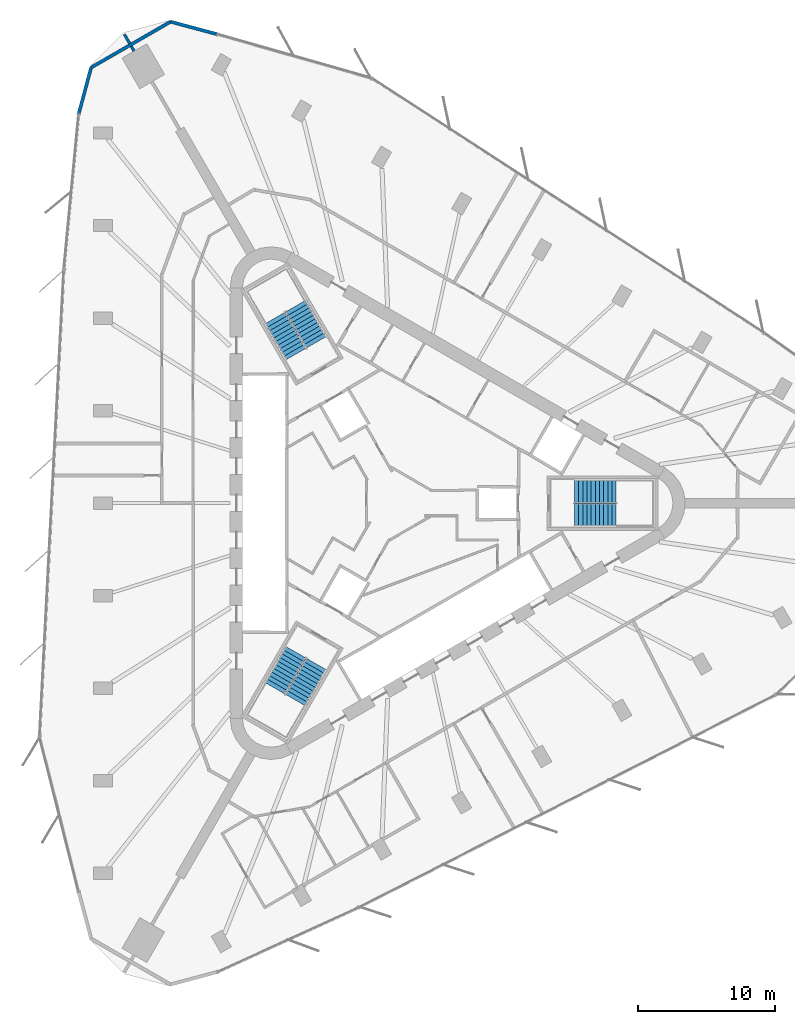
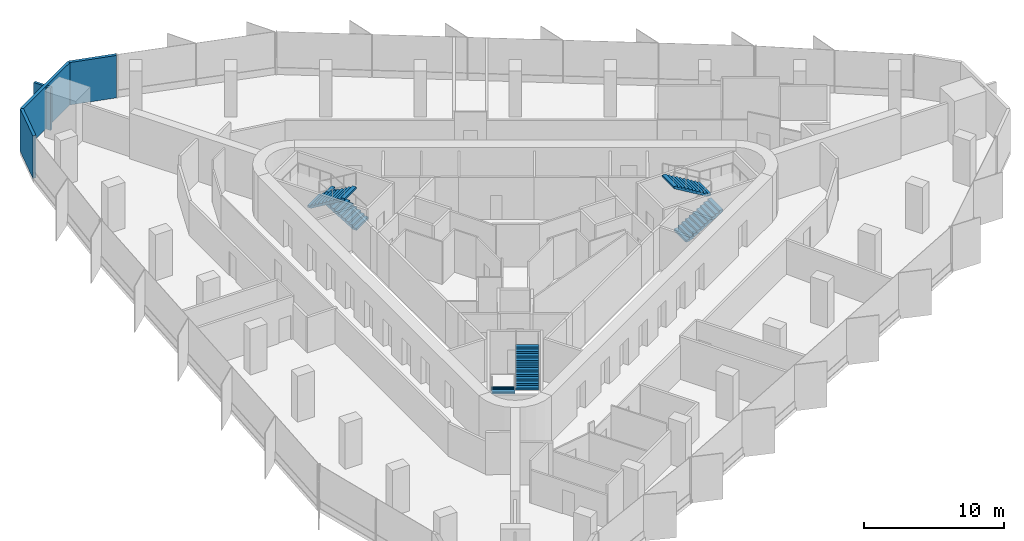
# One storey, part 13 of 14: 6 stair flights, 5 walls, 3 elements without a shape of their own.
"""IFC4 building model written with IfcOpenShell, lengths in metres."""

from ifc_helpers import new_model, si_unit, direction, frame, frame_2d, origin, place, context, subcontext, project, spatial, polyline, rectangle, outline, extrude, material, layer, layer_set, type_object, element, aggregate, save


model = new_model("IFC4")

# Units and contexts
model_context = context("Model", 3, precision=1e-05, world=origin(), true_north=direction((0.0, 1.0)))
body_context = subcontext(model_context, "Body", "Model", "MODEL_VIEW")
ifc_project = project(units=[si_unit("LENGTHUNIT", "METRE"), si_unit("AREAUNIT", "SQUARE_METRE"), si_unit("VOLUMEUNIT", "CUBIC_METRE"), si_unit("PLANEANGLEUNIT", "RADIAN"), si_unit("MASSUNIT", "GRAM", prefix="KILO")], contexts=[model_context])

# Site, building, storey
site_placement = place(None, origin())
site = spatial("IfcSite", under=ifc_project, at=site_placement, CompositionType="ELEMENT")
building_placement = place(site_placement, origin())
building = spatial("IfcBuilding", under=site, at=building_placement, Name="Tanit Gate Tower", CompositionType="ELEMENT")
storey_placement = place(building_placement, frame((0.0, 0.0, 261.199951171875)))
storey = spatial("IfcBuildingStorey", under=building, at=storey_placement, Name="L59", CompositionType="ELEMENT", Elevation=261.199951171875)

# Walls
ifc_material_1 = material(Name="Concrete C30/37 with bronze anodised aluminium cladding", Category="concrete")
ifc_layer_1 = layer(ifc_material_1, 0.239990234375)
ifc_layer_set_1 = layer_set([ifc_layer_1], Name="Facade wall bronze clad 240")
wall_type_1 = type_object("IfcWallType", Name="Facade wall bronze clad 240", PredefinedType="SOLIDWALL", material=ifc_layer_set_1)
wall_1_placement = place(storey_placement, frame((-13.072265625, 34.326171875, 0.0), z_axis=(0.0, 0.0, 1.0), x_axis=(-0.965926007748, 0.258818367886, 0.0)))
element("IfcWall", 1, at=wall_1_placement, inside=storey, type_object=wall_type_1, Name="Bronze-clad facade wall L59 NW.arc1", PredefinedType="SOLIDWALL", context=body_context, shape_type="SweptSolid", body=[
    extrude(rectangle(XDim=3.510009765625, YDim=0.239990234375, at=frame_2d((1.7548828125, 0.0))), origin(), (0.0, 0.0, 1.0), 3.699951171875),
])
wall_2_placement = place(storey_placement, frame((-16.462646484375, 35.234619140625, 0.0), z_axis=(0.0, 0.0, 1.0), x_axis=(-0.86603253074, -0.499987655547, 0.0)))
element("IfcWall", 2, at=wall_2_placement, inside=storey, type_object=wall_type_1, Name="Bronze-clad facade wall L59 NW.arc2", PredefinedType="SOLIDWALL", context=body_context, shape_type="SweptSolid", body=[
    extrude(rectangle(XDim=6.720458984375, YDim=0.239990234375, at=frame_2d((3.3603515625, 0.0))), origin(), (0.0, 0.0, 1.0), 3.699951171875),
])
wall_3_placement = place(storey_placement, frame((-22.28271484375, 31.87451171875, 0.0), z_axis=(0.0, 0.0, 1.0), x_axis=(-0.258842973314, -0.965919414426, 0.0)))
element("IfcWall", 3, at=wall_3_placement, inside=storey, type_object=wall_type_1, Name="Bronze-clad facade wall L59 NW.arc3", PredefinedType="SOLIDWALL", context=body_context, shape_type="SweptSolid", body=[
    extrude(rectangle(XDim=3.501220703125, YDim=0.239990234375, at=frame_2d((1.75048828125, 0.0))), origin(), (0.0, 0.0, 1.0), 3.699951171875),
])
ifc_material_2 = material(Name="Fire-rated gypsum board partition")
ifc_layer_2 = layer(ifc_material_2, 0.199951171875)
ifc_layer_set_2 = layer_set([ifc_layer_2], Name="INT-WALL-COMPARTMENT")
wall_type_2 = type_object("IfcWallType", Name="INT-WALL-COMPARTMENT", PredefinedType="PARTITIONING", material=ifc_layer_set_2)
wall_4_placement = place(storey_placement, frame((-19.844970703125, 34.312255859375, 0.0), z_axis=(0.0, 0.0, 1.0), x_axis=(0.500151178888, -0.865938103017, 0.0)))
element("IfcWall", 4, at=wall_4_placement, inside=storey, type_object=wall_type_2, Name="Wall Compartment W124", PredefinedType="PARTITIONING", context=body_context, shape_type="SweptSolid", body=[
    extrude(rectangle(XDim=0.772216796875, YDim=0.199951171875, at=frame_2d((0.38623046875, 0.0))), origin(), (0.0, 0.0, 1.0), 3.699951171875),
])
wall_5_placement = place(storey_placement, frame((-19.338623046875, 33.435546875, 0.0), z_axis=(0.0, 0.0, 1.0), x_axis=(0.499896243657, -0.866085299251, 0.0)))
element("IfcWall", 5, at=wall_5_placement, inside=storey, type_object=wall_type_2, Name="Wall Compartment W124x1", PredefinedType="PARTITIONING", context=body_context, shape_type="SweptSolid", body=[
    extrude(rectangle(XDim=0.4052734375, YDim=0.199951171875, at=frame_2d((0.20263671875, 0.0))), origin(), (0.0, 0.0, 1.0), 3.699951171875),
])

# Stair, stair flights
ifc_material_3 = material(Name="Concrete C40/50", Category="concrete")
stair_type = type_object("IfcStairType", Name="INT-STAIR-EXIT", PredefinedType="HALF_TURN_STAIR", material=ifc_material_3)
stair_1_placement = place(storey_placement, origin())
stair_1 = element("IfcStair", 6, at=stair_1_placement, inside=storey, type_object=stair_type, Name="L59 STAIR S1", PredefinedType="HALF_TURN_STAIR")
ifc_material_4 = material(Name="Concrete C40/50", Category="concrete")
stair_flight_type = type_object("IfcStairFlightType", Name="INT-STAIR-FLIGHT", PredefinedType="STRAIGHT", material=ifc_material_4)
stair_flight_1_placement = place(storey_placement, frame((13.094970703125, -0.8525390625, 0.0), z_axis=(0.0, 0.0, 1.0), x_axis=(1.0, 0.0, 0.0)))
stair_flight_1 = element("IfcStairFlight", 7, at=stair_flight_1_placement, type_object=stair_flight_type, Name="S1 flight 1", NumberOfRisers=11, NumberOfTreads=10, PredefinedType="STRAIGHT", RiserHeight=0.181818182, TreadLength=0.3051, context=body_context, shape_type="SweptSolid", body=[
    extrude(outline(polyline([(0.0, 0.0), (0.0, 0.181884765625), (0.30517578125, 0.181884765625), (0.30517578125, 0.363525390625), (0.610107421875, 0.363525390625), (0.610107421875, 0.54541015625), (0.915283203125, 0.54541015625), (0.915283203125, 0.727294921875), (1.220458984375, 0.727294921875), (1.220458984375, 0.9091796875), (1.525390625, 0.9091796875), (1.525390625, 1.0908203125), (1.83056640625, 1.0908203125), (1.83056640625, 1.272705078125), (2.1357421875, 1.272705078125), (2.1357421875, 1.45458984375), (2.44091796875, 1.45458984375), (2.44091796875, 1.636474609375), (2.745849609375, 1.636474609375), (2.745849609375, 1.818115234375), (3.051025390625, 1.818115234375), (3.051025390625, 2.0), (3.051025390625, 1.643798828125), (0.292724609375, 0.0), (0.0, 0.0)])), frame((0.0, 0.84765625, 0.0), z_axis=(0.0, -1.0, 0.0), x_axis=(1.0, 0.0, 0.0)), (0.0, 0.0, 1.0), 1.695068359375),
])
stair_flight_2_placement = place(storey_placement, frame((16.14599609375, 0.8525390625, 2.0), z_axis=(0.0, 0.0, 1.0), x_axis=(-1.0, 0.0, 0.0)))
stair_flight_2 = element("IfcStairFlight", 8, at=stair_flight_2_placement, type_object=stair_flight_type, Name="S1 flight 2", NumberOfRisers=11, NumberOfTreads=10, PredefinedType="STRAIGHT", RiserHeight=0.181818182, TreadLength=0.3051, context=body_context, shape_type="SweptSolid", body=[
    extrude(outline(polyline([(0.0, 0.0), (0.0, 0.181884765625), (0.30517578125, 0.181884765625), (0.30517578125, 0.363525390625), (0.610107421875, 0.363525390625), (0.610107421875, 0.54541015625), (0.915283203125, 0.54541015625), (0.915283203125, 0.727294921875), (1.220458984375, 0.727294921875), (1.220458984375, 0.9091796875), (1.525390625, 0.9091796875), (1.525390625, 1.0908203125), (1.83056640625, 1.0908203125), (1.83056640625, 1.272705078125), (2.1357421875, 1.272705078125), (2.1357421875, 1.45458984375), (2.44091796875, 1.45458984375), (2.44091796875, 1.636474609375), (2.745849609375, 1.636474609375), (2.745849609375, 1.818115234375), (3.051025390625, 1.818115234375), (3.051025390625, 2.0), (3.051025390625, 1.643798828125), (0.292724609375, 0.0), (0.0, 0.0)])), frame((0.0, 0.84765625, 0.0), z_axis=(0.0, -1.0, 0.0), x_axis=(1.0, 0.0, 0.0)), (0.0, 0.0, 1.0), 1.695068359375),
])
aggregate(stair_1, [stair_flight_1, stair_flight_2])

stair_2_placement = place(storey_placement, origin())
stair_2 = element("IfcStair", 9, at=stair_2_placement, inside=storey, type_object=stair_type, Name="L59 STAIR S2", PredefinedType="HALF_TURN_STAIR")
stair_flight_3_placement = place(storey_placement, frame((-5.808349609375, 11.766357421875, 0.0), z_axis=(0.0, 0.0, 1.0), x_axis=(-0.5, 0.866025403784, 0.0)))
stair_flight_3 = element("IfcStairFlight", 10, at=stair_flight_3_placement, type_object=stair_flight_type, Name="S2 flight 1", NumberOfRisers=11, NumberOfTreads=10, PredefinedType="STRAIGHT", RiserHeight=0.181818182, TreadLength=0.30492, context=body_context, shape_type="SweptSolid", body=[
    extrude(outline(polyline([(0.0, 0.0), (0.0, 0.181884765625), (0.304931640625, 0.181884765625), (0.304931640625, 0.363525390625), (0.60986328125, 0.363525390625), (0.60986328125, 0.54541015625), (0.914794921875, 0.54541015625), (0.914794921875, 0.727294921875), (1.2197265625, 0.727294921875), (1.2197265625, 0.9091796875), (1.524658203125, 0.9091796875), (1.524658203125, 1.0908203125), (1.82958984375, 1.0908203125), (1.82958984375, 1.272705078125), (2.134521484375, 1.272705078125), (2.134521484375, 1.45458984375), (2.439453125, 1.45458984375), (2.439453125, 1.636474609375), (2.744384765625, 1.636474609375), (2.744384765625, 1.818115234375), (3.04931640625, 1.818115234375), (3.04931640625, 2.0), (3.04931640625, 1.6435546875), (0.292724609375, 0.0), (0.0, 0.0)])), frame((0.0, 0.84716796875, 0.0), z_axis=(0.0, -1.0, 0.0), x_axis=(1.0, 0.0, 0.0)), (0.0, 0.0, 1.0), 1.694091796875),
])
stair_flight_4_placement = place(storey_placement, frame((-8.810302734375, 13.553955078125, 2.0), z_axis=(0.0, 0.0, 1.0), x_axis=(0.5, -0.866025403784, 0.0)))
stair_flight_4 = element("IfcStairFlight", 11, at=stair_flight_4_placement, type_object=stair_flight_type, Name="S2 flight 2", NumberOfRisers=11, NumberOfTreads=10, PredefinedType="STRAIGHT", RiserHeight=0.181818182, TreadLength=0.30492, context=body_context, shape_type="SweptSolid", body=[
    extrude(outline(polyline([(0.0, 0.0), (0.0, 0.181884765625), (0.304931640625, 0.181884765625), (0.304931640625, 0.363525390625), (0.60986328125, 0.363525390625), (0.60986328125, 0.54541015625), (0.914794921875, 0.54541015625), (0.914794921875, 0.727294921875), (1.2197265625, 0.727294921875), (1.2197265625, 0.9091796875), (1.524658203125, 0.9091796875), (1.524658203125, 1.0908203125), (1.82958984375, 1.0908203125), (1.82958984375, 1.272705078125), (2.134521484375, 1.272705078125), (2.134521484375, 1.45458984375), (2.439453125, 1.45458984375), (2.439453125, 1.636474609375), (2.744384765625, 1.636474609375), (2.744384765625, 1.818115234375), (3.04931640625, 1.818115234375), (3.04931640625, 2.0), (3.04931640625, 1.6435546875), (0.292724609375, 0.0), (0.0, 0.0)])), frame((0.0, 0.84716796875, 0.0), z_axis=(0.0, -1.0, 0.0), x_axis=(1.0, 0.0, 0.0)), (0.0, 0.0, 1.0), 1.694091796875),
])
aggregate(stair_2, [stair_flight_3, stair_flight_4])

stair_3_placement = place(storey_placement, origin())
stair_3 = element("IfcStair", 12, at=stair_3_placement, inside=storey, type_object=stair_type, Name="L59 STAIR S3", PredefinedType="HALF_TURN_STAIR")
stair_flight_5_placement = place(storey_placement, frame((-7.285888671875, -10.914306640625, 0.0), z_axis=(0.0, 0.0, 1.0), x_axis=(-0.5, -0.866025403784, 0.0)))
stair_flight_5 = element("IfcStairFlight", 13, at=stair_flight_5_placement, type_object=stair_flight_type, Name="S3 flight 1", NumberOfRisers=11, NumberOfTreads=10, PredefinedType="STRAIGHT", RiserHeight=0.181818182, TreadLength=0.3051, context=body_context, shape_type="SweptSolid", body=[
    extrude(outline(polyline([(0.0, 0.0), (0.0, 0.181884765625), (0.30517578125, 0.181884765625), (0.30517578125, 0.363525390625), (0.610107421875, 0.363525390625), (0.610107421875, 0.54541015625), (0.915283203125, 0.54541015625), (0.915283203125, 0.727294921875), (1.220458984375, 0.727294921875), (1.220458984375, 0.9091796875), (1.525390625, 0.9091796875), (1.525390625, 1.0908203125), (1.83056640625, 1.0908203125), (1.83056640625, 1.272705078125), (2.1357421875, 1.272705078125), (2.1357421875, 1.45458984375), (2.44091796875, 1.45458984375), (2.44091796875, 1.636474609375), (2.745849609375, 1.636474609375), (2.745849609375, 1.818115234375), (3.051025390625, 1.818115234375), (3.051025390625, 2.0), (3.051025390625, 1.643798828125), (0.292724609375, 0.0), (0.0, 0.0)])), frame((0.0, 0.84765625, 0.0), z_axis=(0.0, -1.0, 0.0), x_axis=(1.0, 0.0, 0.0)), (0.0, 0.0, 1.0), 1.695068359375),
])
stair_flight_6_placement = place(storey_placement, frame((-7.334716796875, -14.4091796875, 2.0), z_axis=(0.0, 0.0, 1.0), x_axis=(0.5, 0.866025403784, 0.0)))
stair_flight_6 = element("IfcStairFlight", 14, at=stair_flight_6_placement, type_object=stair_flight_type, Name="S3 flight 2", NumberOfRisers=11, NumberOfTreads=10, PredefinedType="STRAIGHT", RiserHeight=0.181818182, TreadLength=0.3051, context=body_context, shape_type="SweptSolid", body=[
    extrude(outline(polyline([(0.0, 0.0), (0.0, 0.181884765625), (0.30517578125, 0.181884765625), (0.30517578125, 0.363525390625), (0.610107421875, 0.363525390625), (0.610107421875, 0.54541015625), (0.915283203125, 0.54541015625), (0.915283203125, 0.727294921875), (1.220458984375, 0.727294921875), (1.220458984375, 0.9091796875), (1.525390625, 0.9091796875), (1.525390625, 1.0908203125), (1.83056640625, 1.0908203125), (1.83056640625, 1.272705078125), (2.1357421875, 1.272705078125), (2.1357421875, 1.45458984375), (2.44091796875, 1.45458984375), (2.44091796875, 1.636474609375), (2.745849609375, 1.636474609375), (2.745849609375, 1.818115234375), (3.051025390625, 1.818115234375), (3.051025390625, 2.0), (3.051025390625, 1.643798828125), (0.292724609375, 0.0), (0.0, 0.0)])), frame((0.0, 0.84765625, 0.0), z_axis=(0.0, -1.0, 0.0), x_axis=(1.0, 0.0, 0.0)), (0.0, 0.0, 1.0), 1.695068359375),
])
aggregate(stair_3, [stair_flight_5, stair_flight_6])

save(model, "model.ifc")
